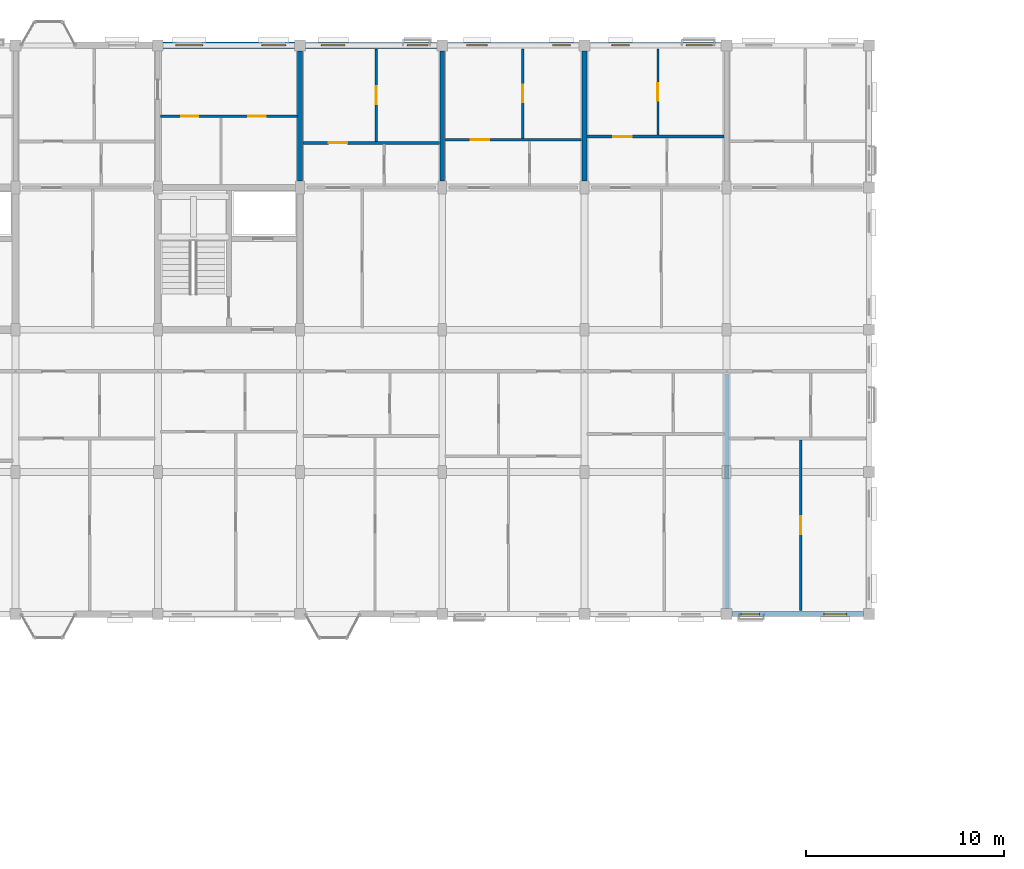
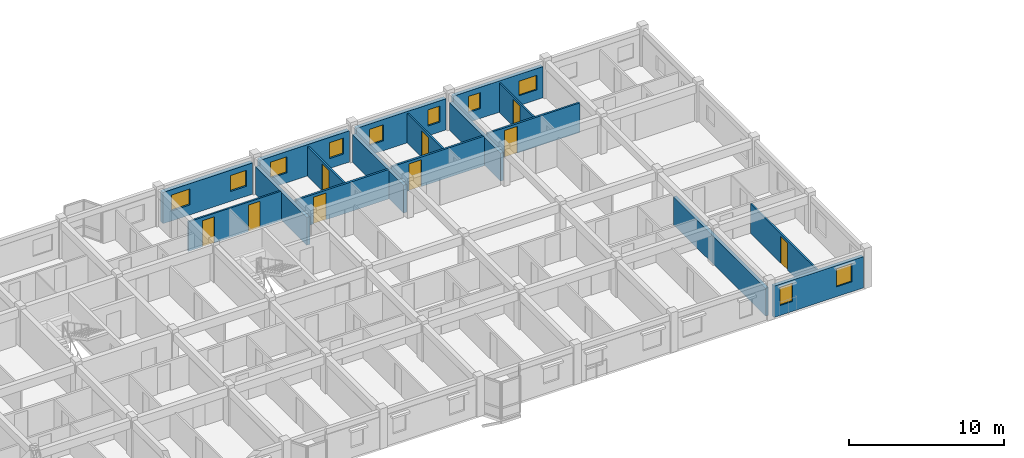
# One storey, part 70 of 79: 17 walls, 10 windows, 9 doors, 19 openings.
"""IFC4 building model written with IfcOpenShell, lengths in metres."""

from ifc_helpers import new_model, si_unit, direction, frame, frame_2d, origin, place, context, subcontext, project, spatial, rectangle, extrude, material, layer, layer_set, type_object, element, fill, save


model = new_model("IFC4")

# Units and contexts
model_context = context("Model", 3, precision=1e-05, world=origin(), true_north=direction((0.0, 1.0)))
body_context = subcontext(model_context, "Body", "Model", "MODEL_VIEW")
ifc_project = project(units=[si_unit("LENGTHUNIT", "METRE"), si_unit("AREAUNIT", "SQUARE_METRE"), si_unit("VOLUMEUNIT", "CUBIC_METRE"), si_unit("PLANEANGLEUNIT", "RADIAN"), si_unit("MASSUNIT", "GRAM", prefix="KILO"), si_unit("THERMODYNAMICTEMPERATUREUNIT", "KELVIN"), si_unit("POWERUNIT", "WATT")], contexts=[model_context])

# Site, building, storey
site_placement = place(None, origin())
site = spatial("IfcSite", under=ifc_project, at=site_placement, CompositionType="ELEMENT")
building_placement = place(site_placement, origin())
building = spatial("IfcBuilding", under=site, at=building_placement, Name="Tavuni Mirador Residences", CompositionType="ELEMENT")
storey_placement = place(building_placement, frame((0.0, 0.0, 13.949951171875)))
storey = spatial("IfcBuildingStorey", under=building, at=storey_placement, Name="L04", CompositionType="ELEMENT", Elevation=13.949951171875)

# Wall, openings, windows
ifc_material_1 = material(Name="Sgraffito lime-rendered precast concrete C40/50", Category="concrete")
ifc_layer_1 = layer(ifc_material_1, 0.2548828125, Name="Sgraffito lime-rendered precast concrete C40/50", Category="concrete")
ifc_layer_set_1 = layer_set([ifc_layer_1], Name="Sgraffito lime-rendered precast concrete C40/50")
wall_type_1 = type_object("IfcWallType", Name="WT-EXT-PC255", PredefinedType="SOLIDWALL", material=ifc_layer_set_1)
wall_1_placement = place(storey_placement, frame((68.675048828125, 144.0, 0.0), z_axis=(0.0, 0.0, 1.0), x_axis=(1.0, 0.0, 0.0)))
wall_1 = element("IfcWall", 1, at=wall_1_placement, inside=storey, type_object=wall_type_1, Name="EW-BLK-C-L04-S08", PredefinedType="SOLIDWALL", context=body_context, shape_type="SweptSolid", body=[
    extrude(rectangle(XDim=6.64990234375, YDim=0.2548828125, at=frame_2d((3.324951171875, 0.0))), origin(), (0.0, 0.0, 1.0), 2.455078125),
])
opening_1_placement = place(wall_1_placement, frame((0.449951171875, 0.0, 0.780029296875)))
opening_1 = element("IfcOpeningElement", 2, at=opening_1_placement, cuts=wall_1, Name="Opening WN-25", PredefinedType="OPENING", context=body_context, shape_type="SweptSolid", body=[
    extrude(rectangle(XDim=0.93994140625, YDim=1.43994140625, at=frame_2d((0.469970703125, 0.719970703125))), frame((0.0, 0.137451171875, 0.0), z_axis=(0.0, -1.0, 0.0), x_axis=(1.0, 0.0, 0.0)), (0.0, 0.0, 1.0), 0.27490234375),
])
opening_2_placement = place(wall_1_placement, frame((4.64990234375, 0.0, 0.780029296875)))
opening_2 = element("IfcOpeningElement", 3, at=opening_2_placement, cuts=wall_1, Name="Opening WN-27", PredefinedType="OPENING", context=body_context, shape_type="SweptSolid", body=[
    extrude(rectangle(XDim=1.14990234375, YDim=1.43994140625, at=frame_2d((0.574951171875, 0.719970703125))), frame((0.0, 0.137451171875, 0.0), z_axis=(0.0, -1.0, 0.0), x_axis=(1.0, 0.0, 0.0)), (0.0, 0.0, 1.0), 0.27490234375),
])
ifc_material_2 = material(Name="Laminated solar-control glass", Category="glass")
window_type_1 = type_object("IfcWindowType", Name="WNT-25", PartitioningType="SINGLE_PANEL", PredefinedType="WINDOW", material=ifc_material_2)
window_1_placement = place(opening_1_placement, origin())
window_1 = element("IfcWindow", 4, at=window_1_placement, inside=storey, type_object=window_type_1, Name="WIN-1010", OverallHeight=1.43994140625, OverallWidth=0.93994140625, PartitioningType="SINGLE_PANEL", PredefinedType="WINDOW", context=body_context, shape_type="SweptSolid", body=[
    extrude(rectangle(XDim=0.93994140625, YDim=1.43994140625, at=frame_2d((0.469970703125, 0.719970703125))), frame((0.0, 0.030029296875, 0.0), z_axis=(0.0, -1.0, 0.0), x_axis=(1.0, 0.0, 0.0)), (0.0, 0.0, 1.0), 0.06005859375),
])
fill(opening_1, window_1)
window_type_2 = type_object("IfcWindowType", Name="WNT-27", PartitioningType="SINGLE_PANEL", PredefinedType="WINDOW", material=ifc_material_2)
window_2_placement = place(opening_2_placement, origin())
window_2 = element("IfcWindow", 5, at=window_2_placement, inside=storey, type_object=window_type_2, Name="WIN-1011", OverallHeight=1.43994140625, OverallWidth=1.14990234375, PartitioningType="SINGLE_PANEL", PredefinedType="WINDOW", context=body_context, shape_type="SweptSolid", body=[
    extrude(rectangle(XDim=1.14990234375, YDim=1.43994140625, at=frame_2d((0.574951171875, 0.719970703125))), frame((0.0, 0.030029296875, 0.0), z_axis=(0.0, -1.0, 0.0), x_axis=(1.0, 0.0, 0.0)), (0.0, 0.0, 1.0), 0.06005859375),
])
fill(opening_2, window_2)

ifc_layer_2 = layer(ifc_material_1, 0.27490234375, Name="Sgraffito lime-rendered precast concrete C40/50", Category="concrete")
ifc_layer_set_2 = layer_set([ifc_layer_2], Name="Sgraffito lime-rendered precast concrete C40/50")
wall_type_2 = type_object("IfcWallType", Name="WT-EXT-PC275", PredefinedType="SOLIDWALL", material=ifc_layer_set_2)
wall_2_placement = place(storey_placement, frame((68.125, 172.800048828125, 0.0), z_axis=(0.0, 0.0, 1.0), x_axis=(-1.0, 0.0, 0.0)))
wall_2 = element("IfcWall", 6, at=wall_2_placement, inside=storey, type_object=wall_type_2, Name="EW-BLK-C-L04-N07", PredefinedType="SOLIDWALL", context=body_context, shape_type="SweptSolid", body=[
    extrude(rectangle(XDim=6.64990234375, YDim=0.27490234375, at=frame_2d((3.324951171875, 0.0))), origin(), (0.0, 0.0, 1.0), 2.455078125),
])
opening_3_placement = place(wall_2_placement, frame((0.449951171875, 0.0, 0.780029296875)))
opening_3 = element("IfcOpeningElement", 7, at=opening_3_placement, cuts=wall_2, Name="Opening WN-07", PredefinedType="OPENING", context=body_context, shape_type="SweptSolid", body=[
    extrude(rectangle(XDim=1.320068359375, YDim=1.14990234375, at=frame_2d((0.66015625, 0.574951171875))), frame((0.0, 0.1474609375, 0.0), z_axis=(0.0, -1.0, 0.0), x_axis=(1.0, 0.0, 0.0)), (0.0, 0.0, 1.0), 0.294921875),
])
opening_4_placement = place(wall_2_placement, frame((4.64990234375, 0.0, 0.780029296875)))
opening_4 = element("IfcOpeningElement", 8, at=opening_4_placement, cuts=wall_2, Name="Opening WN-09", PredefinedType="OPENING", context=body_context, shape_type="SweptSolid", body=[
    extrude(rectangle(XDim=0.8798828125, YDim=1.260009765625, at=frame_2d((0.43994140625, 0.6298828125))), frame((0.0, 0.1474609375, 0.0), z_axis=(0.0, -1.0, 0.0), x_axis=(1.0, 0.0, 0.0)), (0.0, 0.0, 1.0), 0.294921875),
])
window_type_3 = type_object("IfcWindowType", Name="WNT-07", PartitioningType="SINGLE_PANEL", PredefinedType="WINDOW", material=ifc_material_2)
window_3_placement = place(opening_3_placement, origin())
window_3 = element("IfcWindow", 9, at=window_3_placement, inside=storey, type_object=window_type_3, Name="WIN-1022", OverallHeight=1.14990234375, OverallWidth=1.320068359375, PartitioningType="SINGLE_PANEL", PredefinedType="WINDOW", context=body_context, shape_type="SweptSolid", body=[
    extrude(rectangle(XDim=1.320068359375, YDim=1.14990234375, at=frame_2d((0.66015625, 0.574951171875))), frame((0.0, 0.030029296875, 0.0), z_axis=(0.0, -1.0, 0.0), x_axis=(1.0, 0.0, 0.0)), (0.0, 0.0, 1.0), 0.06005859375),
])
fill(opening_3, window_3)
window_type_4 = type_object("IfcWindowType", Name="WNT-09", PartitioningType="SINGLE_PANEL", PredefinedType="WINDOW", material=ifc_material_2)
window_4_placement = place(opening_4_placement, origin())
window_4 = element("IfcWindow", 10, at=window_4_placement, inside=storey, type_object=window_type_4, Name="WIN-1023", OverallHeight=1.260009765625, OverallWidth=0.8798828125, PartitioningType="SINGLE_PANEL", PredefinedType="WINDOW", context=body_context, shape_type="SweptSolid", body=[
    extrude(rectangle(XDim=0.8798828125, YDim=1.260009765625, at=frame_2d((0.43994140625, 0.6298828125))), frame((0.0, 0.030029296875, 0.0), z_axis=(0.0, -1.0, 0.0), x_axis=(1.0, 0.0, 0.0)), (0.0, 0.0, 1.0), 0.06005859375),
])
fill(opening_4, window_4)

ifc_layer_3 = layer(ifc_material_1, 0.2900390625, Name="Sgraffito lime-rendered precast concrete C40/50", Category="concrete")
ifc_layer_set_3 = layer_set([ifc_layer_3], Name="Sgraffito lime-rendered precast concrete C40/50")
wall_type_3 = type_object("IfcWallType", Name="WT-EXT-PC290", PredefinedType="SOLIDWALL", material=ifc_layer_set_3)
wall_3_placement = place(storey_placement, frame((60.925048828125, 172.800048828125, 0.0), z_axis=(0.0, 0.0, 1.0), x_axis=(-1.0, 0.0, 0.0)))
wall_3 = element("IfcWall", 11, at=wall_3_placement, inside=storey, type_object=wall_type_3, Name="EW-BLK-C-L04-N06", PredefinedType="SOLIDWALL", context=body_context, shape_type="SweptSolid", body=[
    extrude(rectangle(XDim=6.650146484375, YDim=0.2900390625, at=frame_2d((3.3251953125, 0.0))), origin(), (0.0, 0.0, 1.0), 2.455078125),
])
opening_5_placement = place(wall_3_placement, frame((0.449951171875, 0.0, 0.780029296875)))
opening_5 = element("IfcOpeningElement", 12, at=opening_5_placement, cuts=wall_3, Name="Opening WN-09", PredefinedType="OPENING", context=body_context, shape_type="SweptSolid", body=[
    extrude(rectangle(XDim=0.8798828125, YDim=1.260009765625, at=frame_2d((0.43994140625, 0.6298828125))), frame((0.0, 0.155029296875, 0.0), z_axis=(0.0, -1.0, 0.0), x_axis=(1.0, 0.0, 0.0)), (0.0, 0.0, 1.0), 0.31005859375),
])
opening_6_placement = place(wall_3_placement, frame((4.64990234375, 0.0, 0.780029296875)))
opening_6 = element("IfcOpeningElement", 13, at=opening_6_placement, cuts=wall_3, Name="Opening WN-11", PredefinedType="OPENING", context=body_context, shape_type="SweptSolid", body=[
    extrude(rectangle(XDim=1.0400390625, YDim=1.260009765625, at=frame_2d((0.52001953125, 0.6298828125))), frame((0.0, 0.155029296875, 0.0), z_axis=(0.0, -1.0, 0.0), x_axis=(1.0, 0.0, 0.0)), (0.0, 0.0, 1.0), 0.31005859375),
])
window_5_placement = place(opening_5_placement, origin())
window_5 = element("IfcWindow", 14, at=window_5_placement, inside=storey, type_object=window_type_4, Name="WIN-1024", OverallHeight=1.260009765625, OverallWidth=0.8798828125, PartitioningType="SINGLE_PANEL", PredefinedType="WINDOW", context=body_context, shape_type="SweptSolid", body=[
    extrude(rectangle(XDim=0.8798828125, YDim=1.260009765625, at=frame_2d((0.43994140625, 0.6298828125))), frame((0.0, 0.030029296875, 0.0), z_axis=(0.0, -1.0, 0.0), x_axis=(1.0, 0.0, 0.0)), (0.0, 0.0, 1.0), 0.06005859375),
])
fill(opening_5, window_5)
window_type_5 = type_object("IfcWindowType", Name="WNT-11", PartitioningType="SINGLE_PANEL", PredefinedType="WINDOW", material=ifc_material_2)
window_6_placement = place(opening_6_placement, origin())
window_6 = element("IfcWindow", 15, at=window_6_placement, inside=storey, type_object=window_type_5, Name="WIN-1025", OverallHeight=1.260009765625, OverallWidth=1.0400390625, PartitioningType="SINGLE_PANEL", PredefinedType="WINDOW", context=body_context, shape_type="SweptSolid", body=[
    extrude(rectangle(XDim=1.0400390625, YDim=1.260009765625, at=frame_2d((0.52001953125, 0.6298828125))), frame((0.0, 0.030029296875, 0.0), z_axis=(0.0, -1.0, 0.0), x_axis=(1.0, 0.0, 0.0)), (0.0, 0.0, 1.0), 0.06005859375),
])
fill(opening_6, window_6)

ifc_layer_4 = layer(ifc_material_1, 0.304931640625, Name="Sgraffito lime-rendered precast concrete C40/50", Category="concrete")
ifc_layer_set_4 = layer_set([ifc_layer_4], Name="Sgraffito lime-rendered precast concrete C40/50")
wall_type_4 = type_object("IfcWallType", Name="WT-EXT-PC305", PredefinedType="SOLIDWALL", material=ifc_layer_set_4)
wall_4_placement = place(storey_placement, frame((53.72509765625, 172.800048828125, 0.0), z_axis=(0.0, 0.0, 1.0), x_axis=(-1.0, 0.0, 0.0)))
wall_4 = element("IfcWall", 16, at=wall_4_placement, inside=storey, type_object=wall_type_4, Name="EW-BLK-C-L04-N05", PredefinedType="SOLIDWALL", context=body_context, shape_type="SweptSolid", body=[
    extrude(rectangle(XDim=6.650146484375, YDim=0.304931640625, at=frame_2d((3.3251953125, 0.0))), origin(), (0.0, 0.0, 1.0), 2.455078125),
])
opening_7_placement = place(wall_4_placement, frame((0.449951171875, 0.0, 0.780029296875)))
opening_7 = element("IfcOpeningElement", 17, at=opening_7_placement, cuts=wall_4, Name="Opening WN-11", PredefinedType="OPENING", context=body_context, shape_type="SweptSolid", body=[
    extrude(rectangle(XDim=1.0400390625, YDim=1.260009765625, at=frame_2d((0.52001953125, 0.6298828125))), frame((0.0, 0.16259765625, 0.0), z_axis=(0.0, -1.0, 0.0), x_axis=(1.0, 0.0, 0.0)), (0.0, 0.0, 1.0), 0.324951171875),
])
opening_8_placement = place(wall_4_placement, frame((4.64990234375, 0.0, 0.780029296875)))
opening_8 = element("IfcOpeningElement", 18, at=opening_8_placement, cuts=wall_4, Name="Opening WN-13", PredefinedType="OPENING", context=body_context, shape_type="SweptSolid", body=[
    extrude(rectangle(XDim=1.199951171875, YDim=1.260009765625, at=frame_2d((0.60009765625, 0.6298828125))), frame((0.0, 0.16259765625, 0.0), z_axis=(0.0, -1.0, 0.0), x_axis=(1.0, 0.0, 0.0)), (0.0, 0.0, 1.0), 0.324951171875),
])
window_7_placement = place(opening_7_placement, origin())
window_7 = element("IfcWindow", 19, at=window_7_placement, inside=storey, type_object=window_type_5, Name="WIN-1026", OverallHeight=1.260009765625, OverallWidth=1.0400390625, PartitioningType="SINGLE_PANEL", PredefinedType="WINDOW", context=body_context, shape_type="SweptSolid", body=[
    extrude(rectangle(XDim=1.0400390625, YDim=1.260009765625, at=frame_2d((0.52001953125, 0.6298828125))), frame((0.0, 0.030029296875, 0.0), z_axis=(0.0, -1.0, 0.0), x_axis=(1.0, 0.0, 0.0)), (0.0, 0.0, 1.0), 0.06005859375),
])
fill(opening_7, window_7)
window_type_6 = type_object("IfcWindowType", Name="WNT-13", PartitioningType="SINGLE_PANEL", PredefinedType="WINDOW", material=ifc_material_2)
window_8_placement = place(opening_8_placement, origin())
window_8 = element("IfcWindow", 20, at=window_8_placement, inside=storey, type_object=window_type_6, Name="WIN-1027", OverallHeight=1.260009765625, OverallWidth=1.199951171875, PartitioningType="SINGLE_PANEL", PredefinedType="WINDOW", context=body_context, shape_type="SweptSolid", body=[
    extrude(rectangle(XDim=1.199951171875, YDim=1.260009765625, at=frame_2d((0.60009765625, 0.6298828125))), frame((0.0, 0.030029296875, 0.0), z_axis=(0.0, -1.0, 0.0), x_axis=(1.0, 0.0, 0.0)), (0.0, 0.0, 1.0), 0.06005859375),
])
fill(opening_8, window_8)

ifc_layer_5 = layer(ifc_material_1, 0.31494140625, Name="Sgraffito lime-rendered precast concrete C40/50", Category="concrete")
ifc_layer_set_5 = layer_set([ifc_layer_5], Name="Sgraffito lime-rendered precast concrete C40/50")
wall_type_5 = type_object("IfcWallType", Name="WT-EXT-PC315", PredefinedType="SOLIDWALL", material=ifc_layer_set_5)
wall_5_placement = place(storey_placement, frame((46.52490234375, 172.800048828125, 0.0), z_axis=(0.0, 0.0, 1.0), x_axis=(-1.0, 0.0, 0.0)))
wall_5 = element("IfcWall", 21, at=wall_5_placement, inside=storey, type_object=wall_type_5, Name="EW-BLK-C-L04-N04", PredefinedType="SOLIDWALL", context=body_context, shape_type="SweptSolid", body=[
    extrude(rectangle(XDim=6.64990234375, YDim=0.31494140625, at=frame_2d((3.324951171875, 0.0))), origin(), (0.0, 0.0, 1.0), 2.455078125),
])
opening_9_placement = place(wall_5_placement, frame((0.449951171875, 0.0, 0.780029296875)))
opening_9 = element("IfcOpeningElement", 22, at=opening_9_placement, cuts=wall_5, Name="Opening WN-13", PredefinedType="OPENING", context=body_context, shape_type="SweptSolid", body=[
    extrude(rectangle(XDim=1.199951171875, YDim=1.260009765625, at=frame_2d((0.60009765625, 0.6298828125))), frame((0.0, 0.16748046875, 0.0), z_axis=(0.0, -1.0, 0.0), x_axis=(1.0, 0.0, 0.0)), (0.0, 0.0, 1.0), 0.3349609375),
])
opening_10_placement = place(wall_5_placement, frame((4.64990234375, 0.0, 0.780029296875)))
opening_10 = element("IfcOpeningElement", 23, at=opening_10_placement, cuts=wall_5, Name="Opening WN-15", PredefinedType="OPENING", context=body_context, shape_type="SweptSolid", body=[
    extrude(rectangle(XDim=1.360107421875, YDim=1.260009765625, at=frame_2d((0.68017578125, 0.6298828125))), frame((0.0, 0.16748046875, 0.0), z_axis=(0.0, -1.0, 0.0), x_axis=(1.0, 0.0, 0.0)), (0.0, 0.0, 1.0), 0.3349609375),
])
window_9_placement = place(opening_9_placement, origin())
window_9 = element("IfcWindow", 24, at=window_9_placement, inside=storey, type_object=window_type_6, Name="WIN-1028", OverallHeight=1.260009765625, OverallWidth=1.199951171875, PartitioningType="SINGLE_PANEL", PredefinedType="WINDOW", context=body_context, shape_type="SweptSolid", body=[
    extrude(rectangle(XDim=1.199951171875, YDim=1.260009765625, at=frame_2d((0.60009765625, 0.6298828125))), frame((0.0, 0.030029296875, 0.0), z_axis=(0.0, -1.0, 0.0), x_axis=(1.0, 0.0, 0.0)), (0.0, 0.0, 1.0), 0.06005859375),
])
fill(opening_9, window_9)
window_type_7 = type_object("IfcWindowType", Name="WNT-15", PartitioningType="SINGLE_PANEL", PredefinedType="WINDOW", material=ifc_material_2)
window_10_placement = place(opening_10_placement, origin())
window_10 = element("IfcWindow", 25, at=window_10_placement, inside=storey, type_object=window_type_7, Name="WIN-1029", OverallHeight=1.260009765625, OverallWidth=1.360107421875, PartitioningType="SINGLE_PANEL", PredefinedType="WINDOW", context=body_context, shape_type="SweptSolid", body=[
    extrude(rectangle(XDim=1.360107421875, YDim=1.260009765625, at=frame_2d((0.68017578125, 0.6298828125))), frame((0.0, 0.030029296875, 0.0), z_axis=(0.0, -1.0, 0.0), x_axis=(1.0, 0.0, 0.0)), (0.0, 0.0, 1.0), 0.06005859375),
])
fill(opening_10, window_10)

# Wall, opening, door
ifc_material_3 = material(Name="Acoustic gypsum and concrete block partition", Category="concrete")
ifc_layer_6 = layer(ifc_material_3, 0.114990234375, Name="Acoustic gypsum and concrete block partition", Category="concrete")
ifc_layer_set_6 = layer_set([ifc_layer_6], Name="Acoustic gypsum and concrete block partition")
wall_type_6 = type_object("IfcWallType", Name="WT-PART115", PredefinedType="PARTITIONING", material=ifc_layer_set_6)
wall_6_placement = place(storey_placement, frame((64.919921875, 168.25, 0.0), z_axis=(0.0, 0.0, 1.0), x_axis=(0.0, 1.0, 0.0)))
wall_6 = element("IfcWall", 26, at=wall_6_placement, inside=storey, type_object=wall_type_6, Name="PW-BLK-C-L04-N07-OUT", PredefinedType="PARTITIONING", context=body_context, shape_type="SweptSolid", body=[
    extrude(rectangle(XDim=4.375, YDim=0.114990234375, at=frame_2d((2.1875, 0.0))), origin(), (0.0, 0.0, 1.0), 2.320068359375),
])
opening_11_placement = place(wall_6_placement, frame((1.737548828125, 0.0, 0.0)))
opening_11 = element("IfcOpeningElement", 27, at=opening_11_placement, cuts=wall_6, Name="Opening D-07", PredefinedType="OPENING", context=body_context, shape_type="SweptSolid", body=[
    extrude(rectangle(XDim=0.89990234375, YDim=2.10009765625, at=frame_2d((0.449951171875, 1.050048828125))), frame((0.0, 0.0673828125, 0.0), z_axis=(0.0, -1.0, 0.0), x_axis=(1.0, 0.0, 0.0)), (0.0, 0.0, 1.0), 0.135009765625),
])
ifc_material_4 = material(Name="Solid core iroko timber", Category="wood")
door_type_1 = type_object("IfcDoorType", Name="DT-BED900", OperationType="NOTDEFINED", PredefinedType="DOOR", material=ifc_material_4)
door_1_placement = place(opening_11_placement, origin())
door_1 = element("IfcDoor", 28, at=door_1_placement, inside=storey, type_object=door_type_1, Name="DR-3897", OperationType="SINGLE_SWING_RIGHT", OverallHeight=2.10009765625, OverallWidth=0.89990234375, PredefinedType="DOOR", context=body_context, shape_type="SweptSolid", body=[
    extrude(rectangle(XDim=0.89990234375, YDim=2.10009765625, at=frame_2d((0.449951171875, 1.050048828125))), frame((0.0, 0.02490234375, 0.0), z_axis=(0.0, -1.0, 0.0), x_axis=(1.0, 0.0, 0.0)), (0.0, 0.0, 1.0), 0.050048828125),
])
fill(opening_11, door_1)

# Wall, openings, doors
ifc_layer_7 = layer(ifc_material_3, 0.125, Name="Acoustic gypsum and concrete block partition", Category="concrete")
ifc_layer_set_7 = layer_set([ifc_layer_7], Name="Acoustic gypsum and concrete block partition")
wall_type_7 = type_object("IfcWallType", Name="WT-PART125", PredefinedType="PARTITIONING", material=ifc_layer_set_7)
wall_7_placement = place(storey_placement, frame((39.739990234375, 169.199951171875, 0.0), z_axis=(0.0, 0.0, 1.0), x_axis=(1.0, 0.0, 0.0)))
wall_7 = element("IfcWall", 29, at=wall_7_placement, inside=storey, type_object=wall_type_7, Name="PW-BLK-C-L04-NC04-M", PredefinedType="PARTITIONING", context=body_context, shape_type="SweptSolid", body=[
    extrude(rectangle(XDim=6.919921875, YDim=0.125, at=frame_2d((3.4599609375, 0.0))), origin(), (0.0, 0.0, 1.0), 2.320068359375),
])
opening_12_placement = place(wall_7_placement, frame((1.050048828125, 0.0, 0.0)))
opening_12 = element("IfcOpeningElement", 30, at=opening_12_placement, cuts=wall_7, Name="Opening D-10", PredefinedType="OPENING", context=body_context, shape_type="SweptSolid", body=[
    extrude(rectangle(XDim=0.8701171875, YDim=2.050048828125, at=frame_2d((0.43505859375, 1.02490234375))), frame((0.0, 0.072509765625, 0.0), z_axis=(0.0, -1.0, 0.0), x_axis=(1.0, 0.0, 0.0)), (0.0, 0.0, 1.0), 0.14501953125),
])
opening_13_placement = place(wall_7_placement, frame((4.449951171875, 0.0, 0.0)))
opening_13 = element("IfcOpeningElement", 31, at=opening_13_placement, cuts=wall_7, Name="Opening D-08", PredefinedType="OPENING", context=body_context, shape_type="SweptSolid", body=[
    extrude(rectangle(XDim=0.8798828125, YDim=2.080078125, at=frame_2d((0.43994140625, 1.0400390625))), frame((0.0, 0.072509765625, 0.0), z_axis=(0.0, -1.0, 0.0), x_axis=(1.0, 0.0, 0.0)), (0.0, 0.0, 1.0), 0.14501953125),
])
door_type_2 = type_object("IfcDoorType", Name="DT-BED880", OperationType="NOTDEFINED", PredefinedType="DOOR", material=ifc_material_4)
door_2_placement = place(opening_13_placement, origin())
door_2 = element("IfcDoor", 32, at=door_2_placement, inside=storey, type_object=door_type_2, Name="DR-3879", OperationType="SINGLE_SWING_RIGHT", OverallHeight=2.080078125, OverallWidth=0.8798828125, PredefinedType="DOOR", context=body_context, shape_type="SweptSolid", body=[
    extrude(rectangle(XDim=0.8798828125, YDim=2.080078125, at=frame_2d((0.43994140625, 1.0400390625))), frame((0.0, 0.02490234375, 0.0), z_axis=(0.0, -1.0, 0.0), x_axis=(1.0, 0.0, 0.0)), (0.0, 0.0, 1.0), 0.050048828125),
])
fill(opening_13, door_2)
door_type_3 = type_object("IfcDoorType", Name="DT-WC870", OperationType="NOTDEFINED", PredefinedType="DOOR", material=ifc_material_4)
door_3_placement = place(opening_12_placement, origin())
door_3 = element("IfcDoor", 33, at=door_3_placement, inside=storey, type_object=door_type_3, Name="DR-3878", OperationType="SINGLE_SWING_LEFT", OverallHeight=2.050048828125, OverallWidth=0.8701171875, PredefinedType="DOOR", context=body_context, shape_type="SweptSolid", body=[
    extrude(rectangle(XDim=0.8701171875, YDim=2.050048828125, at=frame_2d((0.43505859375, 1.02490234375))), frame((0.0, 0.02490234375, 0.0), z_axis=(0.0, -1.0, 0.0), x_axis=(1.0, 0.0, 0.0)), (0.0, 0.0, 1.0), 0.050048828125),
])
fill(opening_12, door_3)

# Wall, opening, door
wall_8_placement = place(storey_placement, frame((50.659912109375, 167.929931640625, 0.0), z_axis=(0.0, 0.0, 1.0), x_axis=(0.0, 1.0, 0.0)))
wall_8 = element("IfcWall", 34, at=wall_8_placement, inside=storey, type_object=wall_type_7, Name="PW-BLK-C-L04-N05-OUT", PredefinedType="PARTITIONING", context=body_context, shape_type="SweptSolid", body=[
    extrude(rectangle(XDim=4.695068359375, YDim=0.125, at=frame_2d((2.34765625, 0.0))), origin(), (0.0, 0.0, 1.0), 2.320068359375),
])
opening_14_placement = place(wall_8_placement, frame((1.8974609375, 0.0, 0.0)))
opening_14 = element("IfcOpeningElement", 35, at=opening_14_placement, cuts=wall_8, Name="Opening D-07", PredefinedType="OPENING", context=body_context, shape_type="SweptSolid", body=[
    extrude(rectangle(XDim=0.89990234375, YDim=2.10009765625, at=frame_2d((0.449951171875, 1.050048828125))), frame((0.0, 0.072509765625, 0.0), z_axis=(0.0, -1.0, 0.0), x_axis=(1.0, 0.0, 0.0)), (0.0, 0.0, 1.0), 0.14501953125),
])
door_4_placement = place(opening_14_placement, origin())
door_4 = element("IfcDoor", 36, at=door_4_placement, inside=storey, type_object=door_type_1, Name="DR-3884", OperationType="SINGLE_SWING_RIGHT", OverallHeight=2.10009765625, OverallWidth=0.89990234375, PredefinedType="DOOR", context=body_context, shape_type="SweptSolid", body=[
    extrude(rectangle(XDim=0.89990234375, YDim=2.10009765625, at=frame_2d((0.449951171875, 1.050048828125))), frame((0.0, 0.02490234375, 0.0), z_axis=(0.0, -1.0, 0.0), x_axis=(1.0, 0.0, 0.0)), (0.0, 0.0, 1.0), 0.050048828125),
])
fill(opening_14, door_4)

wall_9_placement = place(storey_placement, frame((58.080078125, 168.090087890625, 0.0), z_axis=(0.0, 0.0, 1.0), x_axis=(0.0, 1.0, 0.0)))
wall_9 = element("IfcWall", 37, at=wall_9_placement, inside=storey, type_object=wall_type_7, Name="PW-BLK-C-L04-N06-OUT", PredefinedType="PARTITIONING", context=body_context, shape_type="SweptSolid", body=[
    extrude(rectangle(XDim=4.534912109375, YDim=0.125, at=frame_2d((2.267578125, 0.0))), origin(), (0.0, 0.0, 1.0), 2.320068359375),
])
opening_15_placement = place(wall_9_placement, frame((1.827392578125, 0.0, 0.0)))
opening_15 = element("IfcOpeningElement", 38, at=opening_15_placement, cuts=wall_9, Name="Opening D-08", PredefinedType="OPENING", context=body_context, shape_type="SweptSolid", body=[
    extrude(rectangle(XDim=0.8798828125, YDim=2.080078125, at=frame_2d((0.43994140625, 1.0400390625))), frame((0.0, 0.072509765625, 0.0), z_axis=(0.0, -1.0, 0.0), x_axis=(1.0, 0.0, 0.0)), (0.0, 0.0, 1.0), 0.14501953125),
])
door_5_placement = place(opening_15_placement, origin())
door_5 = element("IfcDoor", 39, at=door_5_placement, inside=storey, type_object=door_type_2, Name="DR-3890", OperationType="SINGLE_SWING_LEFT", OverallHeight=2.080078125, OverallWidth=0.8798828125, PredefinedType="DOOR", context=body_context, shape_type="SweptSolid", body=[
    extrude(rectangle(XDim=0.8798828125, YDim=2.080078125, at=frame_2d((0.43994140625, 1.0400390625))), frame((0.0, 0.02490234375, 0.0), z_axis=(0.0, -1.0, 0.0), x_axis=(1.0, 0.0, 0.0)), (0.0, 0.0, 1.0), 0.050048828125),
])
fill(opening_15, door_5)

wall_10_placement = place(storey_placement, frame((72.14990234375, 144.175048828125, 0.0), z_axis=(0.0, 0.0, 1.0), x_axis=(0.0, 1.0, 0.0)))
wall_10 = element("IfcWall", 40, at=wall_10_placement, inside=storey, type_object=wall_type_7, Name="PW-BLK-C-L04-S08-OUT", PredefinedType="PARTITIONING", context=body_context, shape_type="SweptSolid", body=[
    extrude(rectangle(XDim=8.655029296875, YDim=0.125, at=frame_2d((4.32763671875, 0.0))), origin(), (0.0, 0.0, 1.0), 2.320068359375),
])
opening_16_placement = place(wall_10_placement, frame((3.87744140625, 0.0, 0.0)))
opening_16 = element("IfcOpeningElement", 41, at=opening_16_placement, cuts=wall_10, Name="Opening D-07", PredefinedType="OPENING", context=body_context, shape_type="SweptSolid", body=[
    extrude(rectangle(XDim=0.89990234375, YDim=2.10009765625, at=frame_2d((0.449951171875, 1.050048828125))), frame((0.0, 0.072509765625, 0.0), z_axis=(0.0, -1.0, 0.0), x_axis=(1.0, 0.0, 0.0)), (0.0, 0.0, 1.0), 0.14501953125),
])
door_6_placement = place(opening_16_placement, origin())
door_6 = element("IfcDoor", 42, at=door_6_placement, inside=storey, type_object=door_type_1, Name="DR-3900", OperationType="SINGLE_SWING_RIGHT", OverallHeight=2.10009765625, OverallWidth=0.89990234375, PredefinedType="DOOR", context=body_context, shape_type="SweptSolid", body=[
    extrude(rectangle(XDim=0.89990234375, YDim=2.10009765625, at=frame_2d((0.449951171875, 1.050048828125))), frame((0.0, 0.02490234375, 0.0), z_axis=(0.0, -1.0, 0.0), x_axis=(1.0, 0.0, 0.0)), (0.0, 0.0, 1.0), 0.050048828125),
])
fill(opening_16, door_6)

ifc_layer_8 = layer(ifc_material_3, 0.139892578125, Name="Acoustic gypsum and concrete block partition", Category="concrete")
ifc_layer_set_8 = layer_set([ifc_layer_8], Name="Acoustic gypsum and concrete block partition")
wall_type_8 = type_object("IfcWallType", Name="WT-PART140", PredefinedType="PARTITIONING", material=ifc_layer_set_8)
wall_11_placement = place(storey_placement, frame((61.340087890625, 168.179931640625, 0.0), z_axis=(0.0, 0.0, 1.0), x_axis=(1.0, 0.0, 0.0)))
wall_11 = element("IfcWall", 43, at=wall_11_placement, inside=storey, type_object=wall_type_8, Name="PW-BLK-C-L04-N07-MID", PredefinedType="PARTITIONING", context=body_context, shape_type="SweptSolid", body=[
    extrude(rectangle(XDim=6.919921875, YDim=0.139892578125, at=frame_2d((3.4599609375, 0.0))), origin(), (0.0, 0.0, 1.0), 2.320068359375),
])
opening_17_placement = place(wall_11_placement, frame((1.31005859375, 0.0, 0.0)))
opening_17 = element("IfcOpeningElement", 44, at=opening_17_placement, cuts=wall_11, Name="Opening D-05", PredefinedType="OPENING", context=body_context, shape_type="SweptSolid", body=[
    extrude(rectangle(XDim=0.949951171875, YDim=2.10009765625, at=frame_2d((0.47509765625, 1.050048828125))), frame((0.0, 0.080078125, 0.0), z_axis=(0.0, -1.0, 0.0), x_axis=(1.0, 0.0, 0.0)), (0.0, 0.0, 1.0), 0.159912109375),
])
door_type_4 = type_object("IfcDoorType", Name="DT-INT950", OperationType="NOTDEFINED", PredefinedType="DOOR", material=ifc_material_4)
door_7_placement = place(opening_17_placement, origin())
door_7 = element("IfcDoor", 45, at=door_7_placement, inside=storey, type_object=door_type_4, Name="DR-3899", OperationType="SINGLE_SWING_LEFT", OverallHeight=2.10009765625, OverallWidth=0.949951171875, PredefinedType="DOOR", context=body_context, shape_type="SweptSolid", body=[
    extrude(rectangle(XDim=0.949951171875, YDim=2.10009765625, at=frame_2d((0.47509765625, 1.050048828125))), frame((0.0, 0.02490234375, 0.0), z_axis=(0.0, -1.0, 0.0), x_axis=(1.0, 0.0, 0.0)), (0.0, 0.0, 1.0), 0.050048828125),
])
fill(opening_17, door_7)

ifc_layer_9 = layer(ifc_material_3, 0.14990234375, Name="Acoustic gypsum and concrete block partition", Category="concrete")
ifc_layer_set_9 = layer_set([ifc_layer_9], Name="Acoustic gypsum and concrete block partition")
wall_type_9 = type_object("IfcWallType", Name="WT-PART150", PredefinedType="PARTITIONING", material=ifc_layer_set_9)
wall_12_placement = place(storey_placement, frame((46.93994140625, 167.860107421875, 0.0), z_axis=(0.0, 0.0, 1.0), x_axis=(1.0, 0.0, 0.0)))
wall_12 = element("IfcWall", 46, at=wall_12_placement, inside=storey, type_object=wall_type_9, Name="PW-BLK-C-L04-N05-MID", PredefinedType="PARTITIONING", context=body_context, shape_type="SweptSolid", body=[
    extrude(rectangle(XDim=6.920166015625, YDim=0.14990234375, at=frame_2d((3.4599609375, 0.0))), origin(), (0.0, 0.0, 1.0), 2.320068359375),
])
opening_18_placement = place(wall_12_placement, frame((1.31005859375, 0.0, 0.0)))
opening_18 = element("IfcOpeningElement", 47, at=opening_18_placement, cuts=wall_12, Name="Opening D-05", PredefinedType="OPENING", context=body_context, shape_type="SweptSolid", body=[
    extrude(rectangle(XDim=0.949951171875, YDim=2.10009765625, at=frame_2d((0.47509765625, 1.050048828125))), frame((0.0, 0.0849609375, 0.0), z_axis=(0.0, -1.0, 0.0), x_axis=(1.0, 0.0, 0.0)), (0.0, 0.0, 1.0), 0.169921875),
])
door_8_placement = place(opening_18_placement, origin())
door_8 = element("IfcDoor", 48, at=door_8_placement, inside=storey, type_object=door_type_4, Name="DR-3886", OperationType="SINGLE_SWING_LEFT", OverallHeight=2.10009765625, OverallWidth=0.949951171875, PredefinedType="DOOR", context=body_context, shape_type="SweptSolid", body=[
    extrude(rectangle(XDim=0.949951171875, YDim=2.10009765625, at=frame_2d((0.47509765625, 1.050048828125))), frame((0.0, 0.02490234375, 0.0), z_axis=(0.0, -1.0, 0.0), x_axis=(1.0, 0.0, 0.0)), (0.0, 0.0, 1.0), 0.050048828125),
])
fill(opening_18, door_8)

wall_13_placement = place(storey_placement, frame((54.139892578125, 168.02001953125, 0.0), z_axis=(0.0, 0.0, 1.0), x_axis=(1.0, 0.0, 0.0)))
wall_13 = element("IfcWall", 49, at=wall_13_placement, inside=storey, type_object=wall_type_9, Name="PW-BLK-C-L04-N06-MID", PredefinedType="PARTITIONING", context=body_context, shape_type="SweptSolid", body=[
    extrude(rectangle(XDim=6.920166015625, YDim=0.14990234375, at=frame_2d((3.4599609375, 0.0))), origin(), (0.0, 0.0, 1.0), 2.320068359375),
])
opening_19_placement = place(wall_13_placement, frame((1.31005859375, 0.0, 0.0)))
opening_19 = element("IfcOpeningElement", 50, at=opening_19_placement, cuts=wall_13, Name="Opening D-06", PredefinedType="OPENING", context=body_context, shape_type="SweptSolid", body=[
    extrude(rectangle(XDim=0.919921875, YDim=2.10009765625, at=frame_2d((0.4599609375, 1.050048828125))), frame((0.0, 0.0849609375, 0.0), z_axis=(0.0, -1.0, 0.0), x_axis=(1.0, 0.0, 0.0)), (0.0, 0.0, 1.0), 0.169921875),
])
door_type_5 = type_object("IfcDoorType", Name="DT-INT920", OperationType="NOTDEFINED", PredefinedType="DOOR", material=ifc_material_4)
door_9_placement = place(opening_19_placement, origin())
door_9 = element("IfcDoor", 51, at=door_9_placement, inside=storey, type_object=door_type_5, Name="DR-3892", OperationType="SINGLE_SWING_RIGHT", OverallHeight=2.10009765625, OverallWidth=0.919921875, PredefinedType="DOOR", context=body_context, shape_type="SweptSolid", body=[
    extrude(rectangle(XDim=0.919921875, YDim=2.10009765625, at=frame_2d((0.4599609375, 1.050048828125))), frame((0.0, 0.02490234375, 0.0), z_axis=(0.0, -1.0, 0.0), x_axis=(1.0, 0.0, 0.0)), (0.0, 0.0, 1.0), 0.050048828125),
])
fill(opening_19, door_9)

# Walls
ifc_material_5 = material(Name="Precast concrete C40/50", Category="concrete")
ifc_layer_10 = layer(ifc_material_5, 0.235107421875, Name="Precast concrete C40/50", Category="concrete")
ifc_layer_set_10 = layer_set([ifc_layer_10], Name="Precast concrete C40/50")
wall_type_10 = type_object("IfcWallType", Name="WT-XW235", PredefinedType="SOLIDWALL", material=ifc_layer_set_10)
for number, where, z_axis, x_axis, name in (
    (52, (46.800048828125, 165.925048828125, 0.0), (0.0, 0.0, 1.0), (0.0, 1.0, 0.0), "XW-BLK-C-L04-N-05"),
    (53, (54.0, 165.925048828125, 0.0), (0.0, 0.0, 1.0), (0.0, 1.0, 0.0), "XW-BLK-C-L04-N-06"),
    (54, (61.199951171875, 165.925048828125, 0.0), (0.0, 0.0, 1.0), (0.0, 1.0, 0.0), "XW-BLK-C-L04-N-07"),
):
    element("IfcWall", number, at=place(storey_placement, frame(where, z_axis=z_axis, x_axis=x_axis)), inside=storey, type_object=wall_type_10, Name=name, PredefinedType="SOLIDWALL", context=body_context, shape_type="SweptSolid", body=[
        extrude(rectangle(XDim=6.599853515625, YDim=0.235107421875, at=frame_2d((3.2998046875, 0.0))), origin(), (0.0, 0.0, 1.0), 2.18505859375),
    ])
wall_14_placement = place(storey_placement, frame((68.39990234375, 144.27490234375, 0.0), z_axis=(0.0, 0.0, 1.0), x_axis=(0.0, 1.0, 0.0)))
element("IfcWall", 55, at=wall_14_placement, inside=storey, type_object=wall_type_10, Name="XW-BLK-C-L04-S-08", PredefinedType="SOLIDWALL", context=body_context, shape_type="SweptSolid", body=[
    extrude(rectangle(XDim=11.875, YDim=0.235107421875, at=frame_2d((5.9375, 0.0))), origin(), (0.0, 0.0, 1.0), 2.18505859375),
])

save(model, "model.ifc")
